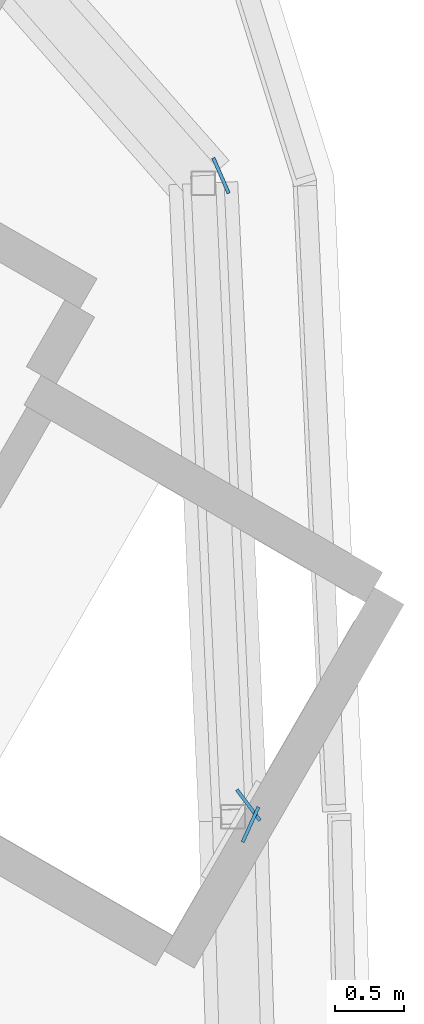
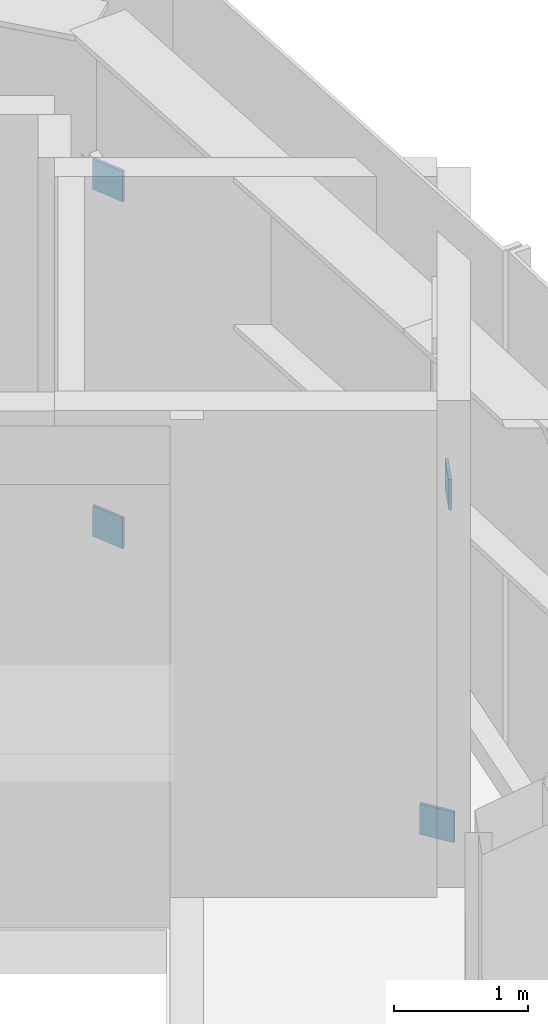
# One storey, part 14 of 21: 4 plates.
"""IFC4 building model written with IfcOpenShell, lengths in metres."""

from ifc_helpers import new_model, si_unit, direction, frame, origin, origin_2d, place, context, subcontext, project, spatial, rectangle, extrude, material, layer, layer_set, type_object, element, save


model = new_model("IFC4")

# Units and contexts
model_context = context("Model", 3, precision=1e-05, world=origin(), true_north=direction((0.0, 1.0)))
body_context = subcontext(model_context, "Body", "Model", "MODEL_VIEW")
ifc_project = project(units=[si_unit("LENGTHUNIT", "METRE"), si_unit("AREAUNIT", "SQUARE_METRE"), si_unit("VOLUMEUNIT", "CUBIC_METRE"), si_unit("PLANEANGLEUNIT", "RADIAN"), si_unit("MASSUNIT", "GRAM", prefix="KILO")], contexts=[model_context])

# Site, building, storey
site_placement = place(None, origin())
site = spatial("IfcSite", under=ifc_project, at=site_placement, CompositionType="ELEMENT")
building_placement = place(site_placement, origin())
building = spatial("IfcBuilding", under=site, at=building_placement, Name="Tamra Quay Hotel Tower", CompositionType="ELEMENT")
storey_placement = place(building_placement, frame((0.0, 0.0, 301.800048828125)))
storey = spatial("IfcBuildingStorey", under=building, at=storey_placement, Name="L76", CompositionType="ELEMENT", Elevation=301.800048828125)

# Plates
ifc_material = material(Name="Structural steel IS 2062 E350", Category="steel")
ifc_layer = layer(ifc_material, 0.02490234375)
ifc_layer_set = layer_set([ifc_layer], Name="BRACE END PLATE 25")
plate_type = type_object("IfcPlateType", Name="BRACE END PLATE 25", PredefinedType="SHEET", material=ifc_layer_set)
for number, where, z_axis, x_axis, name in (
    (1, (15.5302734375, 11.598876953125, -0.39990234375), (0.0, 0.0, 1.0), (0.801206817916, 0.598387529053, 0.0), "BEP-L76-007"),
    (2, (15.33056640625, 16.173095703125, -0.39990234375), (0.0, 0.0, 1.0), (0.915776905872, 0.401687264762, 0.0), "BEP-L76-008"),
    (3, (15.545654296875, 11.45751953125, 2.77001953125), (0.0, 0.0, 1.0), (-0.911286168584, 0.411773625853, 0.0), "BEP-L76-031"),
    (4, (15.330810546875, 16.172119140625, 2.77001953125), (0.0, 0.0, 1.0), (0.918882816808, 0.394530567859, 0.0), "BEP-L76-032"),
):
    element("IfcPlate", number, at=place(storey_placement, frame(where, z_axis=z_axis, x_axis=x_axis)), inside=storey, type_object=plate_type, Name=name, PredefinedType="SHEET", context=body_context, shape_type="SweptSolid", body=[
        extrude(rectangle(XDim=0.02490234375, YDim=0.280029296875, at=origin_2d()), origin(), (0.0, 0.0, 1.0), 0.280029296875),
    ])

save(model, "model.ifc")
